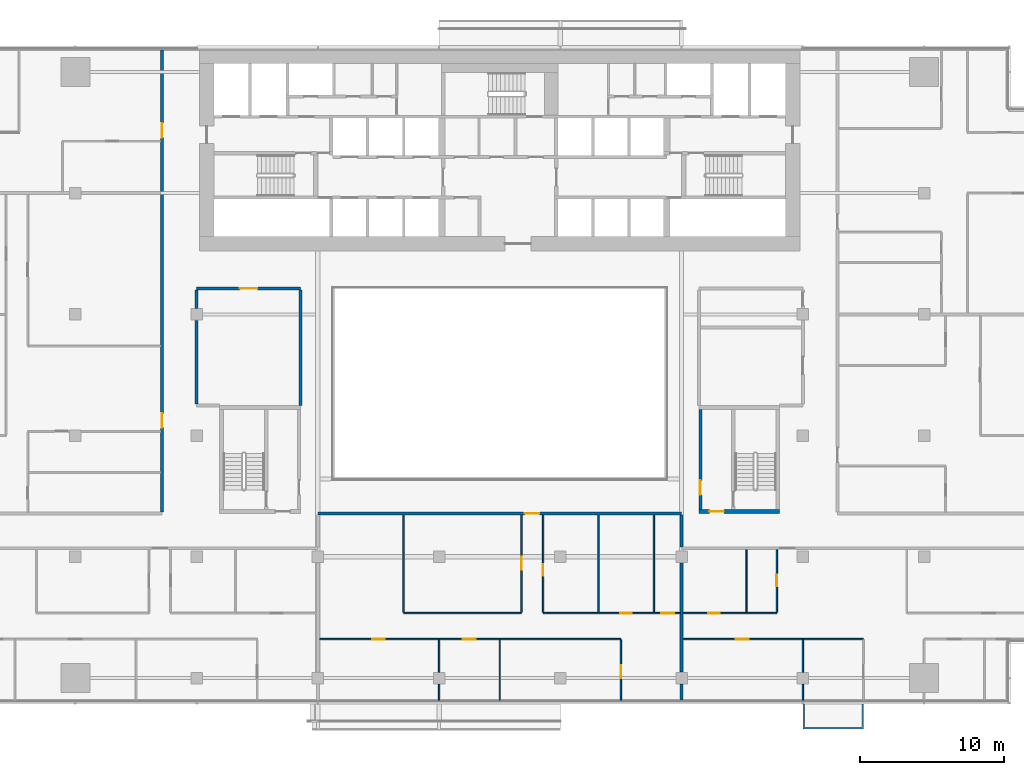
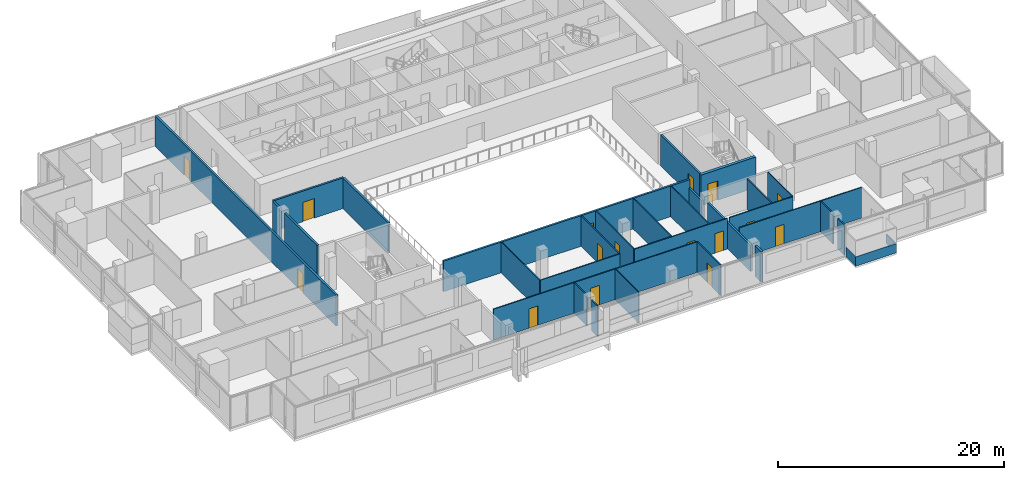
# One storey, part 18 of 26: 30 walls, 16 doors, 16 openings.
"""IFC4 building model written with IfcOpenShell, lengths in metres."""

from ifc_helpers import new_model, si_unit, direction, frame, frame_2d, origin, place, context, subcontext, project, spatial, polyline, rectangle, outline, extrude, material, layer, layer_set, type_object, element, fill, save


model = new_model("IFC4")

# Units and contexts
model_context = context("Model", 3, precision=1e-05, world=origin(), true_north=direction((0.0, 1.0)))
body_context = subcontext(model_context, "Body", "Model", "MODEL_VIEW")
ifc_project = project(units=[si_unit("LENGTHUNIT", "METRE"), si_unit("AREAUNIT", "SQUARE_METRE"), si_unit("VOLUMEUNIT", "CUBIC_METRE"), si_unit("PLANEANGLEUNIT", "RADIAN"), si_unit("MASSUNIT", "GRAM", prefix="KILO")], contexts=[model_context])

# Site, building, storey
site_placement = place(None, origin())
site = spatial("IfcSite", under=ifc_project, at=site_placement, CompositionType="ELEMENT")
building_placement = place(site_placement, origin())
building = spatial("IfcBuilding", under=site, at=building_placement, Name="Saffron Gate Tower", CompositionType="ELEMENT")
storey_placement = place(building_placement, frame((0.0, 0.0, 120.449951171875)))
storey = spatial("IfcBuildingStorey", under=building, at=storey_placement, Name="L28", CompositionType="ELEMENT", Elevation=120.449951171875)

# Wall, opening, door
ifc_material_1 = material(Name="Gypsum board partition on steel studs", Category="steel")
ifc_layer_1 = layer(ifc_material_1, 0.199951171875)
ifc_layer_set_1 = layer_set([ifc_layer_1], Name="CW10 Core partition 200")
wall_type_1 = type_object("IfcWallType", Name="CW10 Core partition 200", PredefinedType="PARTITIONING", material=ifc_layer_set_1)
wall_1_placement = place(storey_placement, frame((101.5, 43.5, 0.0), z_axis=(0.0, 0.0, 1.0), x_axis=(0.0, 1.0, 0.0)))
wall_1 = element("IfcWall", 1, at=wall_1_placement, inside=storey, type_object=wall_type_1, Name="Wall CW10-L28-E-2", PredefinedType="PARTITIONING", context=body_context, shape_type="SweptSolid", body=[
    extrude(rectangle(XDim=6.89990234375, YDim=0.199951171875, at=frame_2d((3.449951171875, 0.0))), origin(), (0.0, 0.0, 1.0), 3.320068359375),
])
opening_1_placement = place(wall_1_placement, frame((1.0, 0.0, 0.0)))
opening_1 = element("IfcOpeningElement", 2, at=opening_1_placement, cuts=wall_1, Name="Opening CR-22", PredefinedType="OPENING", context=body_context, shape_type="SweptSolid", body=[
    extrude(rectangle(XDim=1.0, YDim=2.10009765625, at=frame_2d((0.5, 1.050048828125))), frame((0.0, 0.10986328125, 0.0), z_axis=(0.0, -1.0, 0.0), x_axis=(1.0, 0.0, 0.0)), (0.0, 0.0, 1.0), 0.219970703125),
])
ifc_material_2 = material(Name="Steel fire door set", Category="steel")
door_type_1 = type_object("IfcDoorType", Name="CD4 Lobby door 1000x2100 EI 120", OperationType="NOTDEFINED", PredefinedType="DOOR", material=ifc_material_2)
door_1_placement = place(opening_1_placement, origin())
door_1 = element("IfcDoor", 3, at=door_1_placement, inside=storey, type_object=door_type_1, Name="DOOR CR-22", OperationType="SINGLE_SWING_LEFT", OverallHeight=2.10009765625, OverallWidth=1.0, PredefinedType="DOOR", context=body_context, shape_type="SweptSolid", body=[
    extrude(rectangle(XDim=1.0, YDim=2.10009765625, at=frame_2d((0.5, 1.050048828125))), frame((0.0, 0.02490234375, 0.0), z_axis=(0.0, -1.0, 0.0), x_axis=(1.0, 0.0, 0.0)), (0.0, 0.0, 1.0), 0.050048828125),
])
fill(opening_1, door_1)

ifc_material_3 = material(Name="Concrete C70", Category="concrete")
ifc_layer_2 = layer(ifc_material_3, 0.300048828125)
ifc_layer_set_2 = layer_set([ifc_layer_2], Name="CW5 RC core wall 300 C70")
wall_type_2 = type_object("IfcWallType", Name="CW5 RC core wall 300 C70", PredefinedType="SOLIDWALL", material=ifc_layer_set_2)
wall_2_placement = place(storey_placement, frame((101.39990234375, 43.35009765625, 0.0), z_axis=(0.0, 0.0, 1.0), x_axis=(1.0, 0.0, 0.0)))
wall_2 = element("IfcWall", 4, at=wall_2_placement, inside=storey, type_object=wall_type_2, Name="Wall CW5-L28-E-1", PredefinedType="SOLIDWALL", context=body_context, shape_type="SweptSolid", body=[
    extrude(rectangle(XDim=5.60009765625, YDim=0.300048828125, at=frame_2d((2.800048828125, 0.0))), origin(), (0.0, 0.0, 1.0), 3.320068359375),
])
opening_2_placement = place(wall_2_placement, frame((0.72509765625, 0.0, 0.0)))
opening_2 = element("IfcOpeningElement", 5, at=opening_2_placement, cuts=wall_2, Name="Opening CR-21", PredefinedType="OPENING", context=body_context, shape_type="SweptSolid", body=[
    extrude(rectangle(XDim=1.0, YDim=2.10009765625, at=frame_2d((0.5, 1.050048828125))), frame((0.0, 0.16015625, 0.0), z_axis=(0.0, -1.0, 0.0), x_axis=(1.0, 0.0, 0.0)), (0.0, 0.0, 1.0), 0.320068359375),
])
door_2_placement = place(opening_2_placement, origin())
door_2 = element("IfcDoor", 6, at=door_2_placement, inside=storey, type_object=door_type_1, Name="DOOR CR-21", OperationType="SINGLE_SWING_RIGHT", OverallHeight=2.10009765625, OverallWidth=1.0, PredefinedType="DOOR", context=body_context, shape_type="SweptSolid", body=[
    extrude(rectangle(XDim=1.0, YDim=2.10009765625, at=frame_2d((0.5, 1.050048828125))), frame((0.0, 0.02490234375, 0.0), z_axis=(0.0, -1.0, 0.0), x_axis=(1.0, 0.0, 0.0)), (0.0, 0.0, 1.0), 0.050048828125),
])
fill(opening_2, door_2)

# Wall, openings, doors
ifc_material_4 = material(Name="Plasterboard on steel studs", Category="steel")
ifc_layer_3 = layer(ifc_material_4, 0.10009765625)
ifc_layer_set_3 = layer_set([ifc_layer_3], Name="PW1 Partition 100")
wall_type_3 = type_object("IfcWallType", Name="PW1 Partition 100", PredefinedType="PARTITIONING", material=ifc_layer_set_3)
wall_3_placement = place(storey_placement, frame((96.0, 34.5, 0.0), z_axis=(0.0, 0.0, 1.0), x_axis=(-1.0, 0.0, 0.0)))
wall_3 = element("IfcWall", 7, at=wall_3_placement, inside=storey, type_object=wall_type_3, Name="Partition B3-2", PredefinedType="PARTITIONING", context=body_context, shape_type="SweptSolid", body=[
    extrude(rectangle(XDim=20.89990234375, YDim=0.10009765625, at=frame_2d((10.449951171875, 0.0))), origin(), (0.0, 0.0, 1.0), 3.320068359375),
])
opening_3_placement = place(wall_3_placement, frame((10.050048828125, 0.0, 0.0)))
opening_3 = element("IfcOpeningElement", 8, at=opening_3_placement, cuts=wall_3, Name="Opening B3-13", PredefinedType="OPENING", context=body_context, shape_type="SweptSolid", body=[
    extrude(rectangle(XDim=0.89990234375, YDim=2.10009765625, at=frame_2d((0.449951171875, 1.050048828125))), frame((0.0, 0.06005859375, 0.0), z_axis=(0.0, -1.0, 0.0), x_axis=(1.0, 0.0, 0.0)), (0.0, 0.0, 1.0), 0.1201171875),
])
opening_4_placement = place(wall_3_placement, frame((16.35009765625, 0.0, 0.0)))
opening_4 = element("IfcOpeningElement", 9, at=opening_4_placement, cuts=wall_3, Name="Opening B3-12", PredefinedType="OPENING", context=body_context, shape_type="SweptSolid", body=[
    extrude(rectangle(XDim=0.89990234375, YDim=2.10009765625, at=frame_2d((0.449951171875, 1.050048828125))), frame((0.0, 0.06005859375, 0.0), z_axis=(0.0, -1.0, 0.0), x_axis=(1.0, 0.0, 0.0)), (0.0, 0.0, 1.0), 0.1201171875),
])
ifc_material_5 = material(Name="Timber door set", Category="wood")
door_type_2 = type_object("IfcDoorType", Name="RD1 Room door 900x2100", OperationType="NOTDEFINED", PredefinedType="DOOR", material=ifc_material_5)
door_3_placement = place(opening_3_placement, origin())
door_3 = element("IfcDoor", 10, at=door_3_placement, inside=storey, type_object=door_type_2, Name="Door B3-13", OperationType="SINGLE_SWING_RIGHT", OverallHeight=2.10009765625, OverallWidth=0.89990234375, PredefinedType="DOOR", context=body_context, shape_type="SweptSolid", body=[
    extrude(rectangle(XDim=0.89990234375, YDim=2.10009765625, at=frame_2d((0.449951171875, 1.050048828125))), frame((0.0, 0.02490234375, 0.0), z_axis=(0.0, -1.0, 0.0), x_axis=(1.0, 0.0, 0.0)), (0.0, 0.0, 1.0), 0.050048828125),
])
fill(opening_3, door_3)
door_4_placement = place(opening_4_placement, origin())
door_4 = element("IfcDoor", 11, at=door_4_placement, inside=storey, type_object=door_type_2, Name="Door B3-12", OperationType="SINGLE_SWING_RIGHT", OverallHeight=2.10009765625, OverallWidth=0.89990234375, PredefinedType="DOOR", context=body_context, shape_type="SweptSolid", body=[
    extrude(rectangle(XDim=0.89990234375, YDim=2.10009765625, at=frame_2d((0.449951171875, 1.050048828125))), frame((0.0, 0.02490234375, 0.0), z_axis=(0.0, -1.0, 0.0), x_axis=(1.0, 0.0, 0.0)), (0.0, 0.0, 1.0), 0.050048828125),
])
fill(opening_4, door_4)

# Wall, opening, door
wall_4_placement = place(storey_placement, frame((112.800048828125, 34.5, 0.0), z_axis=(0.0, 0.0, 1.0), x_axis=(-1.0, 0.0, 0.0)))
wall_4 = element("IfcWall", 12, at=wall_4_placement, inside=storey, type_object=wall_type_3, Name="Partition B3-3", PredefinedType="PARTITIONING", context=body_context, shape_type="SweptSolid", body=[
    extrude(rectangle(XDim=12.5, YDim=0.10009765625, at=frame_2d((6.25, 0.0))), origin(), (0.0, 0.0, 1.0), 3.320068359375),
])
opening_5_placement = place(wall_4_placement, frame((7.949951171875, 0.0, 0.0)))
opening_5 = element("IfcOpeningElement", 13, at=opening_5_placement, cuts=wall_4, Name="Opening B3-17", PredefinedType="OPENING", context=body_context, shape_type="SweptSolid", body=[
    extrude(rectangle(XDim=0.89990234375, YDim=2.10009765625, at=frame_2d((0.449951171875, 1.050048828125))), frame((0.0, 0.06005859375, 0.0), z_axis=(0.0, -1.0, 0.0), x_axis=(1.0, 0.0, 0.0)), (0.0, 0.0, 1.0), 0.1201171875),
])
door_5_placement = place(opening_5_placement, origin())
door_5 = element("IfcDoor", 14, at=door_5_placement, inside=storey, type_object=door_type_2, Name="Door B3-17", OperationType="SINGLE_SWING_RIGHT", OverallHeight=2.10009765625, OverallWidth=0.89990234375, PredefinedType="DOOR", context=body_context, shape_type="SweptSolid", body=[
    extrude(rectangle(XDim=0.89990234375, YDim=2.10009765625, at=frame_2d((0.449951171875, 1.050048828125))), frame((0.0, 0.02490234375, 0.0), z_axis=(0.0, -1.0, 0.0), x_axis=(1.0, 0.0, 0.0)), (0.0, 0.0, 1.0), 0.050048828125),
])
fill(opening_5, door_5)

# Walls
wall_5_placement = place(storey_placement, frame((80.94189453125, 36.300048828125, 0.0), z_axis=(0.0, 0.0, 1.0), x_axis=(1.0, 0.0, 0.0)))
element("IfcWall", 15, at=wall_5_placement, inside=storey, type_object=wall_type_3, Name="Partition B3-7", PredefinedType="PARTITIONING", context=body_context, shape_type="SweptSolid", body=[
    extrude(rectangle(XDim=8.158203125, YDim=0.10009765625, at=frame_2d((4.0791015625, 0.0))), origin(), (0.0, 0.0, 1.0), 3.320068359375),
])
wall_6_placement = place(storey_placement, frame((80.94189453125, 43.10009765625, 0.0), z_axis=(0.0, 0.0, 1.0), x_axis=(0.0, -1.0, 0.0)))
element("IfcWall", 16, at=wall_6_placement, inside=storey, type_object=wall_type_3, Name="Partition B3-66", PredefinedType="PARTITIONING", context=body_context, shape_type="SweptSolid", body=[
    extrude(rectangle(XDim=6.75, YDim=0.10009765625, at=frame_2d((3.375, 0.0))), origin(), (0.0, 0.0, 1.0), 3.320068359375),
])
wall_7_placement = place(storey_placement, frame((83.39990234375, 31.3798828125, 0.0), z_axis=(0.0, 0.0, 1.0), x_axis=(0.0, -1.0, 0.0)))
element("IfcWall", 17, at=wall_7_placement, inside=storey, type_object=wall_type_3, Name="Partition B3-67", PredefinedType="PARTITIONING", context=body_context, shape_type="SweptSolid", body=[
    extrude(rectangle(XDim=1.099853515625, YDim=0.10009765625, at=frame_2d((0.5498046875, 0.0))), origin(), (0.0, 0.0, 1.0), 3.320068359375),
])
wall_8_placement = place(storey_placement, frame((83.39990234375, 34.449951171875, 0.0), z_axis=(0.0, 0.0, 1.0), x_axis=(0.0, -1.0, 0.0)))
element("IfcWall", 18, at=wall_8_placement, inside=storey, type_object=wall_type_3, Name="Partition B3-68", PredefinedType="PARTITIONING", context=body_context, shape_type="SweptSolid", body=[
    extrude(rectangle(XDim=2.22998046875, YDim=0.10009765625, at=frame_2d((1.114990234375, 0.0))), origin(), (0.0, 0.0, 1.0), 3.320068359375),
])
wall_9_placement = place(storey_placement, frame((87.60009765625, 34.449951171875, 0.0), z_axis=(0.0, 0.0, 1.0), x_axis=(0.0, -1.0, 0.0)))
element("IfcWall", 19, at=wall_9_placement, inside=storey, type_object=wall_type_3, Name="Partition B3-69", PredefinedType="PARTITIONING", context=body_context, shape_type="SweptSolid", body=[
    extrude(rectangle(XDim=4.169921875, YDim=0.10009765625, at=frame_2d((2.0849609375, 0.0))), origin(), (0.0, 0.0, 1.0), 3.320068359375),
])

# Wall, opening, door
wall_10_placement = place(storey_placement, frame((89.10009765625, 36.35009765625, 0.0), z_axis=(0.0, 0.0, 1.0), x_axis=(0.0, 1.0, 0.0)))
wall_10 = element("IfcWall", 20, at=wall_10_placement, inside=storey, type_object=wall_type_3, Name="Partition B3-70", PredefinedType="PARTITIONING", context=body_context, shape_type="SweptSolid", body=[
    extrude(rectangle(XDim=6.75, YDim=0.10009765625, at=frame_2d((3.375, 0.0))), origin(), (0.0, 0.0, 1.0), 3.320068359375),
])
opening_6_placement = place(wall_10_placement, frame((2.949951171875, 0.0, 0.0)))
opening_6 = element("IfcOpeningElement", 21, at=opening_6_placement, cuts=wall_10, Name="Opening B3-15", PredefinedType="OPENING", context=body_context, shape_type="SweptSolid", body=[
    extrude(rectangle(XDim=0.89990234375, YDim=2.10009765625, at=frame_2d((0.449951171875, 1.050048828125))), frame((0.0, 0.06005859375, 0.0), z_axis=(0.0, -1.0, 0.0), x_axis=(1.0, 0.0, 0.0)), (0.0, 0.0, 1.0), 0.1201171875),
])
door_6_placement = place(opening_6_placement, origin())
door_6 = element("IfcDoor", 22, at=door_6_placement, inside=storey, type_object=door_type_2, Name="Door B3-15", OperationType="SINGLE_SWING_RIGHT", OverallHeight=2.10009765625, OverallWidth=0.89990234375, PredefinedType="DOOR", context=body_context, shape_type="SweptSolid", body=[
    extrude(rectangle(XDim=0.89990234375, YDim=2.10009765625, at=frame_2d((0.449951171875, 1.050048828125))), frame((0.0, 0.02490234375, 0.0), z_axis=(0.0, -1.0, 0.0), x_axis=(1.0, 0.0, 0.0)), (0.0, 0.0, 1.0), 0.050048828125),
])
fill(opening_6, door_6)

wall_11_placement = place(storey_placement, frame((90.60009765625, 43.10009765625, 0.0), z_axis=(0.0, 0.0, 1.0), x_axis=(0.0, -1.0, 0.0)))
wall_11 = element("IfcWall", 23, at=wall_11_placement, inside=storey, type_object=wall_type_3, Name="Partition B3-71", PredefinedType="PARTITIONING", context=body_context, shape_type="SweptSolid", body=[
    extrude(rectangle(XDim=6.75, YDim=0.10009765625, at=frame_2d((3.375, 0.0))), origin(), (0.0, 0.0, 1.0), 3.320068359375),
])
opening_7_placement = place(wall_11_placement, frame((3.39990234375, 0.0, 0.0)))
opening_7 = element("IfcOpeningElement", 24, at=opening_7_placement, cuts=wall_11, Name="Opening B3-34", PredefinedType="OPENING", context=body_context, shape_type="SweptSolid", body=[
    extrude(rectangle(XDim=0.800048828125, YDim=2.10009765625, at=frame_2d((0.39990234375, 1.050048828125))), frame((0.0, 0.06005859375, 0.0), z_axis=(0.0, -1.0, 0.0), x_axis=(1.0, 0.0, 0.0)), (0.0, 0.0, 1.0), 0.1201171875),
])
door_type_3 = type_object("IfcDoorType", Name="RD2 Bathroom door 800x2100", OperationType="NOTDEFINED", PredefinedType="DOOR", material=ifc_material_5)
door_7_placement = place(opening_7_placement, origin())
door_7 = element("IfcDoor", 25, at=door_7_placement, inside=storey, type_object=door_type_3, Name="Door B3-34", OperationType="SINGLE_SWING_RIGHT", OverallHeight=2.10009765625, OverallWidth=0.800048828125, PredefinedType="DOOR", context=body_context, shape_type="SweptSolid", body=[
    extrude(rectangle(XDim=0.800048828125, YDim=2.10009765625, at=frame_2d((0.39990234375, 1.050048828125))), frame((0.0, 0.02490234375, 0.0), z_axis=(0.0, -1.0, 0.0), x_axis=(1.0, 0.0, 0.0)), (0.0, 0.0, 1.0), 0.050048828125),
])
fill(opening_7, door_7)

# Wall
wall_12_placement = place(storey_placement, frame((94.440673828125, 43.10009765625, 0.0), z_axis=(0.0, 0.0, 1.0), x_axis=(0.0, -1.0, 0.0)))
element("IfcWall", 26, at=wall_12_placement, inside=storey, type_object=wall_type_3, Name="Partition B3-72", PredefinedType="PARTITIONING", context=body_context, shape_type="SweptSolid", body=[
    extrude(rectangle(XDim=6.75, YDim=0.10009765625, at=frame_2d((3.375, 0.0))), origin(), (0.0, 0.0, 1.0), 3.320068359375),
])

# Wall, opening, door
wall_13_placement = place(storey_placement, frame((96.0, 30.280029296875, 0.0), z_axis=(0.0, 0.0, 1.0), x_axis=(0.0, 1.0, 0.0)))
wall_13 = element("IfcWall", 27, at=wall_13_placement, inside=storey, type_object=wall_type_3, Name="Partition B3-73", PredefinedType="PARTITIONING", context=body_context, shape_type="SweptSolid", body=[
    extrude(rectangle(XDim=4.169921875, YDim=0.10009765625, at=frame_2d((2.0849609375, 0.0))), origin(), (0.0, 0.0, 1.0), 3.320068359375),
])
opening_8_placement = place(wall_13_placement, frame((1.52001953125, 0.0, 0.0)))
opening_8 = element("IfcOpeningElement", 28, at=opening_8_placement, cuts=wall_13, Name="Opening B3-14", PredefinedType="OPENING", context=body_context, shape_type="SweptSolid", body=[
    extrude(rectangle(XDim=0.89990234375, YDim=2.10009765625, at=frame_2d((0.449951171875, 1.050048828125))), frame((0.0, 0.06005859375, 0.0), z_axis=(0.0, -1.0, 0.0), x_axis=(1.0, 0.0, 0.0)), (0.0, 0.0, 1.0), 0.1201171875),
])
door_8_placement = place(opening_8_placement, origin())
door_8 = element("IfcDoor", 29, at=door_8_placement, inside=storey, type_object=door_type_2, Name="Door B3-14", OperationType="SINGLE_SWING_LEFT", OverallHeight=2.10009765625, OverallWidth=0.89990234375, PredefinedType="DOOR", context=body_context, shape_type="SweptSolid", body=[
    extrude(rectangle(XDim=0.89990234375, YDim=2.10009765625, at=frame_2d((0.449951171875, 1.050048828125))), frame((0.0, 0.02490234375, 0.0), z_axis=(0.0, -1.0, 0.0), x_axis=(1.0, 0.0, 0.0)), (0.0, 0.0, 1.0), 0.050048828125),
])
fill(opening_8, door_8)

# Walls
wall_14_placement = place(storey_placement, frame((98.28125, 43.10009765625, 0.0), z_axis=(0.0, 0.0, 1.0), x_axis=(0.0, -1.0, 0.0)))
element("IfcWall", 30, at=wall_14_placement, inside=storey, type_object=wall_type_3, Name="Partition B3-74", PredefinedType="PARTITIONING", context=body_context, shape_type="SweptSolid", body=[
    extrude(rectangle(XDim=6.75, YDim=0.10009765625, at=frame_2d((3.375, 0.0))), origin(), (0.0, 0.0, 1.0), 3.320068359375),
])
wall_15_placement = place(storey_placement, frame((104.699951171875, 40.699951171875, 0.0), z_axis=(0.0, 0.0, 1.0), x_axis=(0.0, -1.0, 0.0)))
element("IfcWall", 31, at=wall_15_placement, inside=storey, type_object=wall_type_3, Name="Partition B3-79", PredefinedType="PARTITIONING", context=body_context, shape_type="SweptSolid", body=[
    extrude(rectangle(XDim=4.349853515625, YDim=0.10009765625, at=frame_2d((2.1748046875, 0.0))), origin(), (0.0, 0.0, 1.0), 3.320068359375),
])

# Wall, opening, door
wall_16_placement = place(storey_placement, frame((106.800048828125, 36.35009765625, 0.0), z_axis=(0.0, 0.0, 1.0), x_axis=(0.0, 1.0, 0.0)))
wall_16 = element("IfcWall", 32, at=wall_16_placement, inside=storey, type_object=wall_type_3, Name="Partition B3-80", PredefinedType="PARTITIONING", context=body_context, shape_type="SweptSolid", body=[
    extrude(rectangle(XDim=4.349853515625, YDim=0.10009765625, at=frame_2d((2.1748046875, 0.0))), origin(), (0.0, 0.0, 1.0), 3.320068359375),
])
opening_9_placement = place(wall_16_placement, frame((1.800048828125, 0.0, 0.0)))
opening_9 = element("IfcOpeningElement", 33, at=opening_9_placement, cuts=wall_16, Name="Opening B3-37", PredefinedType="OPENING", context=body_context, shape_type="SweptSolid", body=[
    extrude(rectangle(XDim=0.800048828125, YDim=2.10009765625, at=frame_2d((0.39990234375, 1.050048828125))), frame((0.0, 0.06005859375, 0.0), z_axis=(0.0, -1.0, 0.0), x_axis=(1.0, 0.0, 0.0)), (0.0, 0.0, 1.0), 0.1201171875),
])
door_9_placement = place(opening_9_placement, origin())
door_9 = element("IfcDoor", 34, at=door_9_placement, inside=storey, type_object=door_type_3, Name="Door B3-37", OperationType="SINGLE_SWING_RIGHT", OverallHeight=2.10009765625, OverallWidth=0.800048828125, PredefinedType="DOOR", context=body_context, shape_type="SweptSolid", body=[
    extrude(rectangle(XDim=0.800048828125, YDim=2.10009765625, at=frame_2d((0.39990234375, 1.050048828125))), frame((0.0, 0.02490234375, 0.0), z_axis=(0.0, -1.0, 0.0), x_axis=(1.0, 0.0, 0.0)), (0.0, 0.0, 1.0), 0.050048828125),
])
fill(opening_9, door_9)

# Walls
wall_17_placement = place(storey_placement, frame((108.60009765625, 31.3798828125, 0.0), z_axis=(0.0, 0.0, 1.0), x_axis=(0.0, -1.0, 0.0)))
element("IfcWall", 35, at=wall_17_placement, inside=storey, type_object=wall_type_3, Name="Partition B3-83", PredefinedType="PARTITIONING", context=body_context, shape_type="SweptSolid", body=[
    extrude(rectangle(XDim=1.099853515625, YDim=0.10009765625, at=frame_2d((0.5498046875, 0.0))), origin(), (0.0, 0.0, 1.0), 3.320068359375),
])
wall_18_placement = place(storey_placement, frame((108.60009765625, 34.449951171875, 0.0), z_axis=(0.0, 0.0, 1.0), x_axis=(0.0, -1.0, 0.0)))
element("IfcWall", 36, at=wall_18_placement, inside=storey, type_object=wall_type_3, Name="Partition B3-84", PredefinedType="PARTITIONING", context=body_context, shape_type="SweptSolid", body=[
    extrude(rectangle(XDim=2.22998046875, YDim=0.10009765625, at=frame_2d((1.114990234375, 0.0))), origin(), (0.0, 0.0, 1.0), 3.320068359375),
])

# Wall, openings, doors
wall_19_placement = place(storey_placement, frame((90.60009765625, 36.300048828125, 0.0), z_axis=(0.0, 0.0, 1.0), x_axis=(1.0, 0.0, 0.0)))
wall_19 = element("IfcWall", 37, at=wall_19_placement, inside=storey, type_object=wall_type_3, Name="Partition B3-98", PredefinedType="PARTITIONING", context=body_context, shape_type="SweptSolid", body=[
    extrude(rectangle(XDim=9.5, YDim=0.10009765625, at=frame_2d((4.75, 0.0))), origin(), (0.0, 0.0, 1.0), 3.320068359375),
])
opening_10_placement = place(wall_19_placement, frame((5.36083984375, 0.0, 0.0)))
opening_10 = element("IfcOpeningElement", 38, at=opening_10_placement, cuts=wall_19, Name="Opening B3-35", PredefinedType="OPENING", context=body_context, shape_type="SweptSolid", body=[
    extrude(rectangle(XDim=0.800048828125, YDim=2.10009765625, at=frame_2d((0.39990234375, 1.050048828125))), frame((0.0, 0.06005859375, 0.0), z_axis=(0.0, -1.0, 0.0), x_axis=(1.0, 0.0, 0.0)), (0.0, 0.0, 1.0), 0.1201171875),
])
opening_11_placement = place(wall_19_placement, frame((8.190673828125, 0.0, 0.0)))
opening_11 = element("IfcOpeningElement", 39, at=opening_11_placement, cuts=wall_19, Name="Opening B3-16", PredefinedType="OPENING", context=body_context, shape_type="SweptSolid", body=[
    extrude(rectangle(XDim=0.89990234375, YDim=2.10009765625, at=frame_2d((0.449951171875, 1.050048828125))), frame((0.0, 0.06005859375, 0.0), z_axis=(0.0, -1.0, 0.0), x_axis=(1.0, 0.0, 0.0)), (0.0, 0.0, 1.0), 0.1201171875),
])
door_10_placement = place(opening_11_placement, origin())
door_10 = element("IfcDoor", 40, at=door_10_placement, inside=storey, type_object=door_type_2, Name="Door B3-16", OperationType="SINGLE_SWING_RIGHT", OverallHeight=2.10009765625, OverallWidth=0.89990234375, PredefinedType="DOOR", context=body_context, shape_type="SweptSolid", body=[
    extrude(rectangle(XDim=0.89990234375, YDim=2.10009765625, at=frame_2d((0.449951171875, 1.050048828125))), frame((0.0, 0.02490234375, 0.0), z_axis=(0.0, -1.0, 0.0), x_axis=(1.0, 0.0, 0.0)), (0.0, 0.0, 1.0), 0.050048828125),
])
fill(opening_11, door_10)
door_11_placement = place(opening_10_placement, origin())
door_11 = element("IfcDoor", 41, at=door_11_placement, inside=storey, type_object=door_type_3, Name="Door B3-35", OperationType="SINGLE_SWING_LEFT", OverallHeight=2.10009765625, OverallWidth=0.800048828125, PredefinedType="DOOR", context=body_context, shape_type="SweptSolid", body=[
    extrude(rectangle(XDim=0.800048828125, YDim=2.10009765625, at=frame_2d((0.39990234375, 1.050048828125))), frame((0.0, 0.02490234375, 0.0), z_axis=(0.0, -1.0, 0.0), x_axis=(1.0, 0.0, 0.0)), (0.0, 0.0, 1.0), 0.050048828125),
])
fill(opening_10, door_11)

# Wall, opening, door
wall_20_placement = place(storey_placement, frame((100.300048828125, 36.300048828125, 0.0), z_axis=(0.0, 0.0, 1.0), x_axis=(1.0, 0.0, 0.0)))
wall_20 = element("IfcWall", 42, at=wall_20_placement, inside=storey, type_object=wall_type_3, Name="Partition B3-99", PredefinedType="PARTITIONING", context=body_context, shape_type="SweptSolid", body=[
    extrude(rectangle(XDim=6.5, YDim=0.10009765625, at=frame_2d((3.25, 0.0))), origin(), (0.0, 0.0, 1.0), 3.320068359375),
])
opening_12_placement = place(wall_20_placement, frame((1.75, 0.0, 0.0)))
opening_12 = element("IfcOpeningElement", 43, at=opening_12_placement, cuts=wall_20, Name="Opening B3-36", PredefinedType="OPENING", context=body_context, shape_type="SweptSolid", body=[
    extrude(rectangle(XDim=0.800048828125, YDim=2.10009765625, at=frame_2d((0.39990234375, 1.050048828125))), frame((0.0, 0.06005859375, 0.0), z_axis=(0.0, -1.0, 0.0), x_axis=(1.0, 0.0, 0.0)), (0.0, 0.0, 1.0), 0.1201171875),
])
door_12_placement = place(opening_12_placement, origin())
door_12 = element("IfcDoor", 44, at=door_12_placement, inside=storey, type_object=door_type_3, Name="Door B3-36", OperationType="SINGLE_SWING_LEFT", OverallHeight=2.10009765625, OverallWidth=0.800048828125, PredefinedType="DOOR", context=body_context, shape_type="SweptSolid", body=[
    extrude(rectangle(XDim=0.800048828125, YDim=2.10009765625, at=frame_2d((0.39990234375, 1.050048828125))), frame((0.0, 0.02490234375, 0.0), z_axis=(0.0, -1.0, 0.0), x_axis=(1.0, 0.0, 0.0)), (0.0, 0.0, 1.0), 0.050048828125),
])
fill(opening_12, door_12)

# Walls
ifc_material_6 = material(Name="Clay brick masonry, rendered", Category="masonry")
ifc_layer_4 = layer(ifc_material_6, 0.199951171875)
ifc_layer_set_4 = layer_set([ifc_layer_4], Name="PW2 Demising wall 200")
wall_type_4 = type_object("IfcWallType", Name="PW2 Demising wall 200", PredefinedType="PARTITIONING", material=ifc_layer_set_4)
wall_21_placement = place(storey_placement, frame((100.199951171875, 31.3798828125, 0.0), z_axis=(0.0, 0.0, 1.0), x_axis=(0.0, -1.0, 0.0)))
element("IfcWall", 45, at=wall_21_placement, inside=storey, type_object=wall_type_4, Name="Wall B3-76", PredefinedType="PARTITIONING", context=body_context, shape_type="SweptSolid", body=[
    extrude(rectangle(XDim=1.099853515625, YDim=0.199951171875, at=frame_2d((0.5498046875, 0.0))), origin(), (0.0, 0.0, 1.0), 3.320068359375),
])
wall_22_placement = place(storey_placement, frame((100.199951171875, 39.780029296875, 0.0), z_axis=(0.0, 0.0, 1.0), x_axis=(0.0, -1.0, 0.0)))
element("IfcWall", 46, at=wall_22_placement, inside=storey, type_object=wall_type_4, Name="Wall B3-77", PredefinedType="PARTITIONING", context=body_context, shape_type="SweptSolid", body=[
    extrude(rectangle(XDim=7.56005859375, YDim=0.199951171875, at=frame_2d((3.780029296875, 0.0))), origin(), (0.0, 0.0, 1.0), 2.830078125),
])

# Wall, opening, door
ifc_layer_5 = layer(ifc_material_6, 0.199951171875)
ifc_layer_set_5 = layer_set([ifc_layer_5], Name="PW3 Corridor wall 200")
wall_type_5 = type_object("IfcWallType", Name="PW3 Corridor wall 200", PredefinedType="PARTITIONING", material=ifc_layer_set_5)
wall_23_placement = place(storey_placement, frame((100.199951171875, 43.199951171875, 0.0), z_axis=(0.0, 0.0, 1.0), x_axis=(-1.0, 0.0, 0.0)))
wall_23 = element("IfcWall", 47, at=wall_23_placement, inside=storey, type_object=wall_type_5, Name="Wall B3-14", PredefinedType="PARTITIONING", context=body_context, shape_type="SweptSolid", body=[
    extrude(rectangle(XDim=25.199951171875, YDim=0.199951171875, at=frame_2d((12.60009765625, 0.0))), origin(), (0.0, 0.0, 1.0), 3.320068359375),
])
opening_13_placement = place(wall_23_placement, frame((9.85009765625, 0.0, 0.0)))
opening_13 = element("IfcOpeningElement", 48, at=opening_13_placement, cuts=wall_23, Name="Opening B3-2", PredefinedType="OPENING", context=body_context, shape_type="SweptSolid", body=[
    extrude(rectangle(XDim=1.0, YDim=2.10009765625, at=frame_2d((0.5, 1.050048828125))), frame((0.0, 0.10986328125, 0.0), z_axis=(0.0, -1.0, 0.0), x_axis=(1.0, 0.0, 0.0)), (0.0, 0.0, 1.0), 0.219970703125),
])
ifc_material_7 = material(Name="Timber fire door set", Category="wood")
door_type_4 = type_object("IfcDoorType", Name="FD1 Flat entry door 1000x2100", OperationType="NOTDEFINED", PredefinedType="DOOR", material=ifc_material_7)
door_13_placement = place(opening_13_placement, origin())
door_13 = element("IfcDoor", 49, at=door_13_placement, inside=storey, type_object=door_type_4, Name="Door B3-2", OperationType="SINGLE_SWING_RIGHT", OverallHeight=2.10009765625, OverallWidth=1.0, PredefinedType="DOOR", context=body_context, shape_type="SweptSolid", body=[
    extrude(rectangle(XDim=1.0, YDim=2.10009765625, at=frame_2d((0.5, 1.050048828125))), frame((0.0, 0.02490234375, 0.0), z_axis=(0.0, -1.0, 0.0), x_axis=(1.0, 0.0, 0.0)), (0.0, 0.0, 1.0), 0.050048828125),
])
fill(opening_13, door_13)

wall_24_placement = place(storey_placement, frame((73.800048828125, 58.800048828125, 0.0), z_axis=(0.0, 0.0, 1.0), x_axis=(-1.0, 0.0, 0.0)))
wall_24 = element("IfcWall", 50, at=wall_24_placement, inside=storey, type_object=wall_type_5, Name="Wall B3-34", PredefinedType="PARTITIONING", context=body_context, shape_type="SweptSolid", body=[
    extrude(rectangle(XDim=7.199951171875, YDim=0.199951171875, at=frame_2d((3.60009765625, 0.0))), origin(), (0.0, 0.0, 1.0), 3.320068359375),
])
opening_14_placement = place(wall_24_placement, frame((3.0, 0.0, 0.0)))
opening_14 = element("IfcOpeningElement", 51, at=opening_14_placement, cuts=wall_24, Name="Opening B3-45", PredefinedType="OPENING", context=body_context, shape_type="SweptSolid", body=[
    extrude(rectangle(XDim=1.199951171875, YDim=2.10009765625, at=frame_2d((0.60009765625, 1.050048828125))), frame((0.0, 0.10986328125, 0.0), z_axis=(0.0, -1.0, 0.0), x_axis=(1.0, 0.0, 0.0)), (0.0, 0.0, 1.0), 0.219970703125),
])
door_type_5 = type_object("IfcDoorType", Name="HD1 Hall door 1200x2100", OperationType="NOTDEFINED", PredefinedType="DOOR", material=ifc_material_5)
door_14_placement = place(opening_14_placement, origin())
door_14 = element("IfcDoor", 52, at=door_14_placement, inside=storey, type_object=door_type_5, Name="Door B3-45", OperationType="SINGLE_SWING_LEFT", OverallHeight=2.10009765625, OverallWidth=1.199951171875, PredefinedType="DOOR", context=body_context, shape_type="SweptSolid", body=[
    extrude(rectangle(XDim=1.199951171875, YDim=2.10009765625, at=frame_2d((0.60009765625, 1.050048828125))), frame((0.0, 0.02490234375, 0.0), z_axis=(0.0, -1.0, 0.0), x_axis=(1.0, 0.0, 0.0)), (0.0, 0.0, 1.0), 0.050048828125),
])
fill(opening_14, door_14)

# Wall, openings, doors
wall_25_placement = place(storey_placement, frame((64.199951171875, 43.300048828125, 0.0), z_axis=(0.0, 0.0, 1.0), x_axis=(0.0, 1.0, 0.0)))
wall_25 = element("IfcWall", 53, at=wall_25_placement, inside=storey, type_object=wall_type_5, Name="Wall B3-56", PredefinedType="PARTITIONING", context=body_context, shape_type="SweptSolid", body=[
    extrude(rectangle(XDim=32.02001953125, YDim=0.199951171875, at=frame_2d((16.010009765625, 0.0))), origin(), (0.0, 0.0, 1.0), 3.320068359375),
])
opening_15_placement = place(wall_25_placement, frame((5.85009765625, 0.0, 0.0)))
opening_15 = element("IfcOpeningElement", 54, at=opening_15_placement, cuts=wall_25, Name="Opening B3-4", PredefinedType="OPENING", context=body_context, shape_type="SweptSolid", body=[
    extrude(rectangle(XDim=1.0, YDim=2.10009765625, at=frame_2d((0.5, 1.050048828125))), frame((0.0, 0.10986328125, 0.0), z_axis=(0.0, -1.0, 0.0), x_axis=(1.0, 0.0, 0.0)), (0.0, 0.0, 1.0), 0.219970703125),
])
opening_16_placement = place(wall_25_placement, frame((25.949951171875, 0.0, 0.0)))
opening_16 = element("IfcOpeningElement", 55, at=opening_16_placement, cuts=wall_25, Name="Opening B3-5", PredefinedType="OPENING", context=body_context, shape_type="SweptSolid", body=[
    extrude(rectangle(XDim=1.0, YDim=2.10009765625, at=frame_2d((0.5, 1.050048828125))), frame((0.0, 0.10986328125, 0.0), z_axis=(0.0, -1.0, 0.0), x_axis=(1.0, 0.0, 0.0)), (0.0, 0.0, 1.0), 0.219970703125),
])
door_15_placement = place(opening_15_placement, origin())
door_15 = element("IfcDoor", 56, at=door_15_placement, inside=storey, type_object=door_type_4, Name="Door B3-4", OperationType="SINGLE_SWING_RIGHT", OverallHeight=2.10009765625, OverallWidth=1.0, PredefinedType="DOOR", context=body_context, shape_type="SweptSolid", body=[
    extrude(rectangle(XDim=1.0, YDim=2.10009765625, at=frame_2d((0.5, 1.050048828125))), frame((0.0, 0.02490234375, 0.0), z_axis=(0.0, -1.0, 0.0), x_axis=(1.0, 0.0, 0.0)), (0.0, 0.0, 1.0), 0.050048828125),
])
fill(opening_15, door_15)
door_16_placement = place(opening_16_placement, origin())
door_16 = element("IfcDoor", 57, at=door_16_placement, inside=storey, type_object=door_type_4, Name="Door B3-5", OperationType="SINGLE_SWING_LEFT", OverallHeight=2.10009765625, OverallWidth=1.0, PredefinedType="DOOR", context=body_context, shape_type="SweptSolid", body=[
    extrude(rectangle(XDim=1.0, YDim=2.10009765625, at=frame_2d((0.5, 1.050048828125))), frame((0.0, 0.02490234375, 0.0), z_axis=(0.0, -1.0, 0.0), x_axis=(1.0, 0.0, 0.0)), (0.0, 0.0, 1.0), 0.050048828125),
])
fill(opening_16, door_16)

# Walls
wall_26_placement = place(storey_placement, frame((66.60009765625, 56.580078125, 0.0), z_axis=(0.0, 0.0, 1.0), x_axis=(0.0, -1.0, 0.0)))
element("IfcWall", 58, at=wall_26_placement, inside=storey, type_object=wall_type_5, Name="Wall B3-58", PredefinedType="PARTITIONING", context=body_context, shape_type="SweptSolid", body=[
    extrude(rectangle(XDim=5.780029296875, YDim=0.199951171875, at=frame_2d((2.89013671875, 0.0))), origin(), (0.0, 0.0, 1.0), 3.320068359375),
])
wall_27_placement = place(storey_placement, frame((66.60009765625, 58.699951171875, 0.0), z_axis=(0.0, 0.0, 1.0), x_axis=(0.0, -1.0, 0.0)))
element("IfcWall", 59, at=wall_27_placement, inside=storey, type_object=wall_type_5, Name="Wall B3-59", PredefinedType="PARTITIONING", context=body_context, shape_type="SweptSolid", body=[
    extrude(rectangle(XDim=1.280029296875, YDim=0.199951171875, at=frame_2d((0.64013671875, 0.0))), origin(), (0.0, 0.0, 1.0), 3.320068359375),
])
wall_28_placement = place(storey_placement, frame((73.800048828125, 58.699951171875, 0.0), z_axis=(0.0, 0.0, 1.0), x_axis=(0.0, -1.0, 0.0)))
element("IfcWall", 60, at=wall_28_placement, inside=storey, type_object=wall_type_5, Name="Wall B3-62", PredefinedType="PARTITIONING", context=body_context, shape_type="SweptSolid", body=[
    extrude(rectangle(XDim=8.0, YDim=0.199951171875, at=frame_2d((4.0, 0.0))), origin(), (0.0, 0.0, 1.0), 3.320068359375),
])
wall_29_placement = place(storey_placement, frame((100.199951171875, 43.10009765625, 0.0), z_axis=(0.0, 0.0, 1.0), x_axis=(0.0, -1.0, 0.0)))
element("IfcWall", 61, at=wall_29_placement, inside=storey, type_object=wall_type_5, Name="Wall B3-75", PredefinedType="PARTITIONING", context=body_context, shape_type="SweptSolid", body=[
    extrude(rectangle(XDim=2.2001953125, YDim=0.199951171875, at=frame_2d((1.10009765625, 0.0))), origin(), (0.0, 0.0, 1.0), 2.429931640625),
])
ifc_material_8 = material(Name="Rendered insulated panel, white")
ifc_layer_6 = layer(ifc_material_8, 0.10009765625)
ifc_layer_set_6 = layer_set([ifc_layer_6], Name="WB3 box parapet white")
wall_type_6 = type_object("IfcWallType", Name="WB3 box parapet white", PredefinedType="SOLIDWALL", material=ifc_layer_set_6)
wall_30_placement = place(storey_placement, origin())
element("IfcWall", 62, at=wall_30_placement, inside=storey, type_object=wall_type_6, Name="WINDOW BOX parapet", PredefinedType="SOLIDWALL", context=body_context, shape_type="SweptSolid", body=[
    extrude(outline(polyline([(108.60009765625, 30.0), (108.699951171875, 30.0), (108.699951171875, 28.366943359375), (112.699951171875, 28.366943359375), (112.699951171875, 30.0), (112.800048828125, 30.0), (112.800048828125, 28.26708984375), (108.60009765625, 28.26708984375), (108.60009765625, 30.0)])), origin(), (0.0, 0.0, 1.0), 1.0),
])

save(model, "model.ifc")
